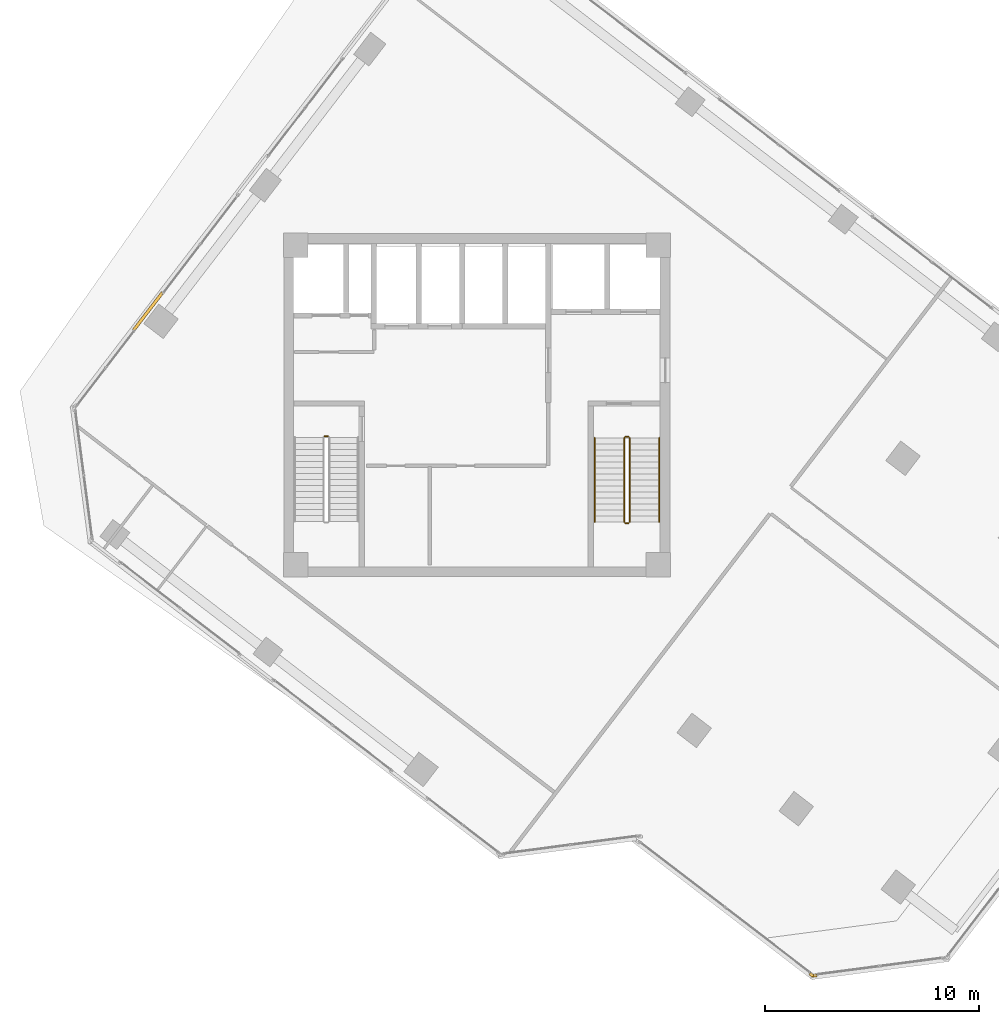
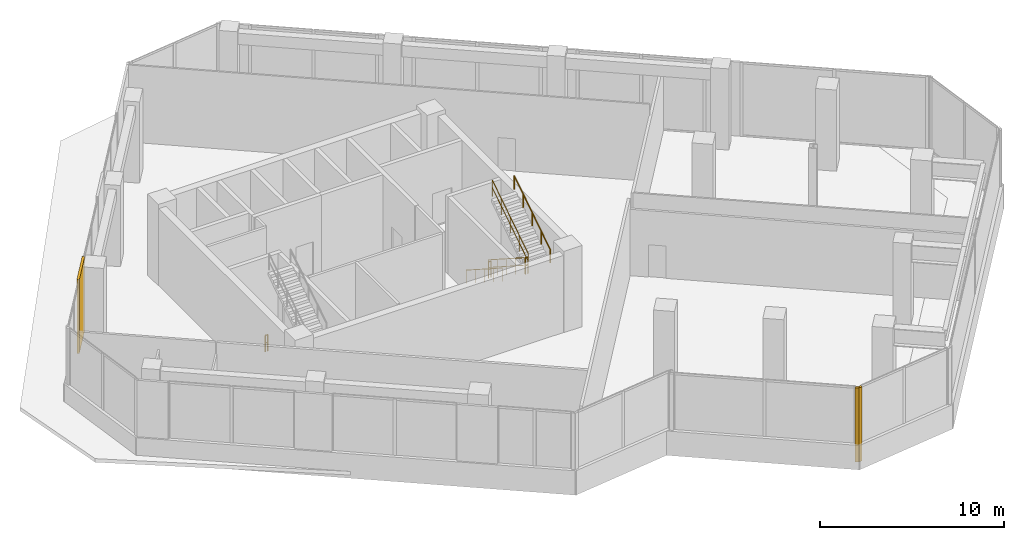
# One storey, part 21 of 23: 7 railings, 3 coverings.
"""IFC4 building model written with IfcOpenShell, lengths in metres."""

from ifc_helpers import new_model, si_unit, direction, frame, origin, origin_2d, place, context, subcontext, project, spatial, rectangle, circle, extrude, source, transform, mapped, material, layer, layer_set, type_object, element, save


model = new_model("IFC4")

# Units and contexts
model_context = context("Model", 3, precision=1e-05, world=origin(), true_north=direction((0.0, 1.0)))
body_context = subcontext(model_context, "Body", "Model", "MODEL_VIEW")
ifc_project = project(units=[si_unit("LENGTHUNIT", "METRE"), si_unit("AREAUNIT", "SQUARE_METRE"), si_unit("VOLUMEUNIT", "CUBIC_METRE"), si_unit("PLANEANGLEUNIT", "RADIAN"), si_unit("MASSUNIT", "GRAM", prefix="KILO")], contexts=[model_context])

# Site, building, storey
site_placement = place(None, origin())
site = spatial("IfcSite", under=ifc_project, at=site_placement, CompositionType="ELEMENT")
building_placement = place(site_placement, origin())
building = spatial("IfcBuilding", under=site, at=building_placement, Name="Torre Montelarca", CompositionType="ELEMENT")
storey_placement = place(building_placement, frame((0.0, 0.0, 204.39990234375)))
storey = spatial("IfcBuildingStorey", under=building, at=storey_placement, Name="L46", CompositionType="ELEMENT", Elevation=204.39990234375)

# Railings
ifc_material_1 = material(Name="Powder-coated steel ASTM A500 Grade C", Category="steel")
railing_type_1 = type_object("IfcRailingType", Name="RL-GUARD-1100", PredefinedType="BALUSTRADE", material=ifc_material_1)
railing_1_placement = place(storey_placement, frame((10.89990234375, 30.550048828125, 0.0)))
element("IfcRailing", 1, at=railing_1_placement, inside=storey, type_object=railing_type_1, Name="L46 ST1 stair guard 4", PredefinedType="BALUSTRADE", context=body_context, shape_type="SweptSolid", body=[
    extrude(circle(Radius=0.02392578125, at=origin_2d()), frame((0.0, 0.0, 1.076171875), z_axis=(1.0, 0.0, 0.0), x_axis=(0.0, 1.0, 0.0)), (0.0, 0.0, 1.0), 0.150146484375),
    extrude(circle(Radius=0.02099609375, at=origin_2d()), frame((0.0, 0.0, 0.572021484375), z_axis=(1.0, 0.0, 0.0), x_axis=(0.0, 1.0, 0.0)), (0.0, 0.0, 1.0), 0.150146484375),
    extrude(circle(Radius=0.02099609375, at=origin_2d()), origin(), (0.0, 0.0, 1.0), 1.052001953125),
    extrude(circle(Radius=0.02099609375, at=origin_2d()), frame((0.150146484375, 0.0, 0.0)), (0.0, 0.0, 1.0), 1.052001953125),
])
railing_2_placement = place(storey_placement, frame((24.8701171875, 30.469970703125, 0.18017578125)))
element("IfcRailing", 2, at=railing_2_placement, inside=storey, type_object=railing_type_1, Name="L46 ST2 stair guard 1", PredefinedType="BALUSTRADE", context=body_context, shape_type="SweptSolid", body=[
    extrude(circle(Radius=0.02392578125, at=origin_2d()), frame((0.0, 0.0, 1.076171875), z_axis=(0.0, -0.841171666519, 0.540768182723), x_axis=(1.0, 0.0, 0.0)), (0.0, 0.0, 1.0), 4.66015625),
    extrude(circle(Radius=0.02099609375, at=origin_2d()), frame((0.0, 0.0, 0.572021484375), z_axis=(0.0, -0.841171666519, 0.540768182723), x_axis=(1.0, 0.0, 0.0)), (0.0, 0.0, 1.0), 4.66015625),
    extrude(circle(Radius=0.02099609375, at=origin_2d()), origin(), (0.0, 0.0, 1.0), 1.052001953125),
    extrude(circle(Radius=0.02099609375, at=origin_2d()), frame((0.0, -0.97998046875, 0.6298828125)), (0.0, 0.0, 1.0), 1.052001953125),
    extrude(circle(Radius=0.02099609375, at=origin_2d()), frame((0.0, -1.9599609375, 1.260009765625)), (0.0, 0.0, 1.0), 1.052001953125),
    extrude(circle(Radius=0.02099609375, at=origin_2d()), frame((0.0, -2.93994140625, 1.89013671875)), (0.0, 0.0, 1.0), 1.052001953125),
    extrude(circle(Radius=0.02099609375, at=origin_2d()), frame((0.0, -3.919921875, 2.52001953125)), (0.0, 0.0, 1.0), 1.052001953125),
])
railing_3_placement = place(storey_placement, frame((24.919921875, 26.5, 2.7001953125)))
element("IfcRailing", 3, at=railing_3_placement, inside=storey, type_object=railing_type_1, Name="L46 ST2 stair guard 2", PredefinedType="BALUSTRADE", context=body_context, shape_type="SweptSolid", body=[
    extrude(circle(Radius=0.02392578125, at=origin_2d()), frame((0.0, 0.0, 1.076171875), z_axis=(1.0, 0.0, 0.0), x_axis=(0.0, 1.0, 0.0)), (0.0, 0.0, 1.0), 0.150146484375),
    extrude(circle(Radius=0.02099609375, at=origin_2d()), frame((0.0, 0.0, 0.572021484375), z_axis=(1.0, 0.0, 0.0), x_axis=(0.0, 1.0, 0.0)), (0.0, 0.0, 1.0), 0.150146484375),
    extrude(circle(Radius=0.02099609375, at=origin_2d()), origin(), (0.0, 0.0, 1.0), 1.052001953125),
    extrude(circle(Radius=0.02099609375, at=origin_2d()), frame((0.150146484375, 0.0, 0.0)), (0.0, 0.0, 1.0), 1.052001953125),
])
railing_4_placement = place(storey_placement, frame((25.1201171875, 26.550048828125, 2.880126953125)))
element("IfcRailing", 4, at=railing_4_placement, inside=storey, type_object=railing_type_1, Name="L46 ST2 stair guard 3", PredefinedType="BALUSTRADE", context=body_context, shape_type="SweptSolid", body=[
    extrude(circle(Radius=0.02392578125, at=origin_2d()), frame((0.0, 0.0, 1.076171875), z_axis=(0.0, 0.841171666519, 0.540768182723), x_axis=(-1.0, 0.0, 0.0)), (0.0, 0.0, 1.0), 4.66015625),
    extrude(circle(Radius=0.02099609375, at=origin_2d()), frame((0.0, 0.0, 0.572021484375), z_axis=(0.0, 0.841171666519, 0.540768182723), x_axis=(-1.0, 0.0, 0.0)), (0.0, 0.0, 1.0), 4.66015625),
    extrude(circle(Radius=0.02099609375, at=origin_2d()), origin(), (0.0, 0.0, 1.0), 1.052001953125),
    extrude(circle(Radius=0.02099609375, at=origin_2d()), frame((0.0, 0.97998046875, 0.6298828125)), (0.0, 0.0, 1.0), 1.052001953125),
    extrude(circle(Radius=0.02099609375, at=origin_2d()), frame((0.0, 1.9599609375, 1.260009765625)), (0.0, 0.0, 1.0), 1.052001953125),
    extrude(circle(Radius=0.02099609375, at=origin_2d()), frame((0.0, 2.93994140625, 1.89013671875)), (0.0, 0.0, 1.0), 1.052001953125),
    extrude(circle(Radius=0.02099609375, at=origin_2d()), frame((0.0, 3.919921875, 2.52001953125)), (0.0, 0.0, 1.0), 1.052001953125),
])
railing_5_placement = place(storey_placement, frame((24.919921875, 30.52001953125, 0.0)))
element("IfcRailing", 5, at=railing_5_placement, inside=storey, type_object=railing_type_1, Name="L46 ST2 stair guard 4", PredefinedType="BALUSTRADE", context=body_context, shape_type="SweptSolid", body=[
    extrude(circle(Radius=0.02392578125, at=origin_2d()), frame((0.0, 0.0, 1.076171875), z_axis=(1.0, 0.0, 0.0), x_axis=(0.0, 1.0, 0.0)), (0.0, 0.0, 1.0), 0.150146484375),
    extrude(circle(Radius=0.02099609375, at=origin_2d()), frame((0.0, 0.0, 0.572021484375), z_axis=(1.0, 0.0, 0.0), x_axis=(0.0, 1.0, 0.0)), (0.0, 0.0, 1.0), 0.150146484375),
    extrude(circle(Radius=0.02099609375, at=origin_2d()), origin(), (0.0, 0.0, 1.0), 1.052001953125),
    extrude(circle(Radius=0.02099609375, at=origin_2d()), frame((0.150146484375, 0.0, 0.0)), (0.0, 0.0, 1.0), 1.052001953125),
])
ifc_material_2 = material(Name="Brushed stainless steel AISI 316", Category="steel")
railing_type_2 = type_object("IfcRailingType", Name="RL-HANDRAIL-900", PredefinedType="HANDRAIL", material=ifc_material_2)
railing_6_placement = place(storey_placement, frame((23.489990234375, 30.469970703125, 0.18017578125)))
element("IfcRailing", 6, at=railing_6_placement, inside=storey, type_object=railing_type_2, Name="L46 ST2 stair handrail 1", PredefinedType="HANDRAIL", context=body_context, shape_type="SweptSolid", body=[
    extrude(circle(Radius=0.02392578125, at=origin_2d()), frame((0.0, 0.0, 0.8759765625), z_axis=(0.0, -0.841171666519, 0.540768182723), x_axis=(1.0, 0.0, 0.0)), (0.0, 0.0, 1.0), 4.66015625),
    extrude(circle(Radius=0.02099609375, at=origin_2d()), origin(), (0.0, 0.0, 1.0), 0.851806640625),
    extrude(circle(Radius=0.02099609375, at=origin_2d()), frame((0.0, -0.97998046875, 0.6298828125)), (0.0, 0.0, 1.0), 0.851806640625),
    extrude(circle(Radius=0.02099609375, at=origin_2d()), frame((0.0, -1.9599609375, 1.260009765625)), (0.0, 0.0, 1.0), 0.851806640625),
    extrude(circle(Radius=0.02099609375, at=origin_2d()), frame((0.0, -2.93994140625, 1.89013671875)), (0.0, 0.0, 1.0), 0.851806640625),
    extrude(circle(Radius=0.02099609375, at=origin_2d()), frame((0.0, -3.919921875, 2.52001953125)), (0.0, 0.0, 1.0), 0.851806640625),
])
railing_7_placement = place(storey_placement, frame((26.5, 26.550048828125, 2.880126953125)))
element("IfcRailing", 7, at=railing_7_placement, inside=storey, type_object=railing_type_2, Name="L46 ST2 stair handrail 2", PredefinedType="HANDRAIL", context=body_context, shape_type="SweptSolid", body=[
    extrude(circle(Radius=0.02392578125, at=origin_2d()), frame((0.0, 0.0, 0.8759765625), z_axis=(0.0, 0.841171666519, 0.540768182723), x_axis=(-1.0, 0.0, 0.0)), (0.0, 0.0, 1.0), 4.66015625),
    extrude(circle(Radius=0.02099609375, at=origin_2d()), origin(), (0.0, 0.0, 1.0), 0.851806640625),
    extrude(circle(Radius=0.02099609375, at=origin_2d()), frame((0.0, 0.97998046875, 0.6298828125)), (0.0, 0.0, 1.0), 0.851806640625),
    extrude(circle(Radius=0.02099609375, at=origin_2d()), frame((0.0, 1.9599609375, 1.260009765625)), (0.0, 0.0, 1.0), 0.851806640625),
    extrude(circle(Radius=0.02099609375, at=origin_2d()), frame((0.0, 2.93994140625, 1.89013671875)), (0.0, 0.0, 1.0), 0.851806640625),
    extrude(circle(Radius=0.02099609375, at=origin_2d()), frame((0.0, 3.919921875, 2.52001953125)), (0.0, 0.0, 1.0), 0.851806640625),
])

# Coverings
ifc_material_3 = material(Name="Bush-hammered warm white precast concrete C45/55", Category="concrete")
ifc_layer = layer(ifc_material_3, 0.139892578125, Name="Bush-hammered warm white precast concrete C45/55", Category="concrete")
ifc_layer_set = layer_set([ifc_layer], Name="Bush-hammered warm white precast concrete C45/55")
covering_type = type_object("IfcCoveringType", Name="COV-TRAY-CLAD", PredefinedType="CLADDING", material=ifc_layer_set)
shared_shape_1 = source(origin(), body_context, "Body", "SweptSolid", [
    extrude(rectangle(XDim=0.199951171875, YDim=0.139892578125, at=origin_2d()), origin(), (0.0, 0.0, 1.0), 4.919921875),
])
for number, where, z_axis, x_axis, name in (
    (8, (33.60986328125, 5.4267578125, 0.000244140625), (0.0, 0.0, 1.0), (0.793351215308, -0.608764198331, 0.0), "L46 Architectural Column Pier Cladding E04-2"),
    (9, (33.75, 5.38916015625, 0.000244140625), (0.0, 0.0, 1.0), (0.991444405745, 0.130529653015, 0.0), "L46 Architectural Column Pier Cladding E05-1"),
):
    element("IfcCovering", number, at=place(storey_placement, frame(where, z_axis=z_axis, x_axis=x_axis)), inside=storey, type_object=covering_type, Name=name, PredefinedType="CLADDING", context=body_context, shape_type="MappedRepresentation", body=[
        mapped(shared_shape_1, transform((0.0, 0.0, 0.0), scale=1.0)),
    ])
shared_shape_2 = source(origin(), body_context, "Body", "SweptSolid", [
    extrude(rectangle(XDim=2.2099609375, YDim=0.139892578125, at=origin_2d()), origin(), (0.0, 0.0, 1.0), 4.919921875),
])
covering_placement = place(storey_placement, frame((2.658935546875, 36.373291015625, 0.000244140625), z_axis=(0.0, 0.0, 1.0), x_axis=(-0.608764198331, -0.793351215308, 0.0)))
element("IfcCovering", 10, at=covering_placement, inside=storey, type_object=covering_type, Name="L46 Architectural Column Pier Cladding E10-4", PredefinedType="CLADDING", context=body_context, shape_type="MappedRepresentation", body=[
    mapped(shared_shape_2, transform((0.0, 0.0, 0.0), scale=1.0)),
])

save(model, "model.ifc")
